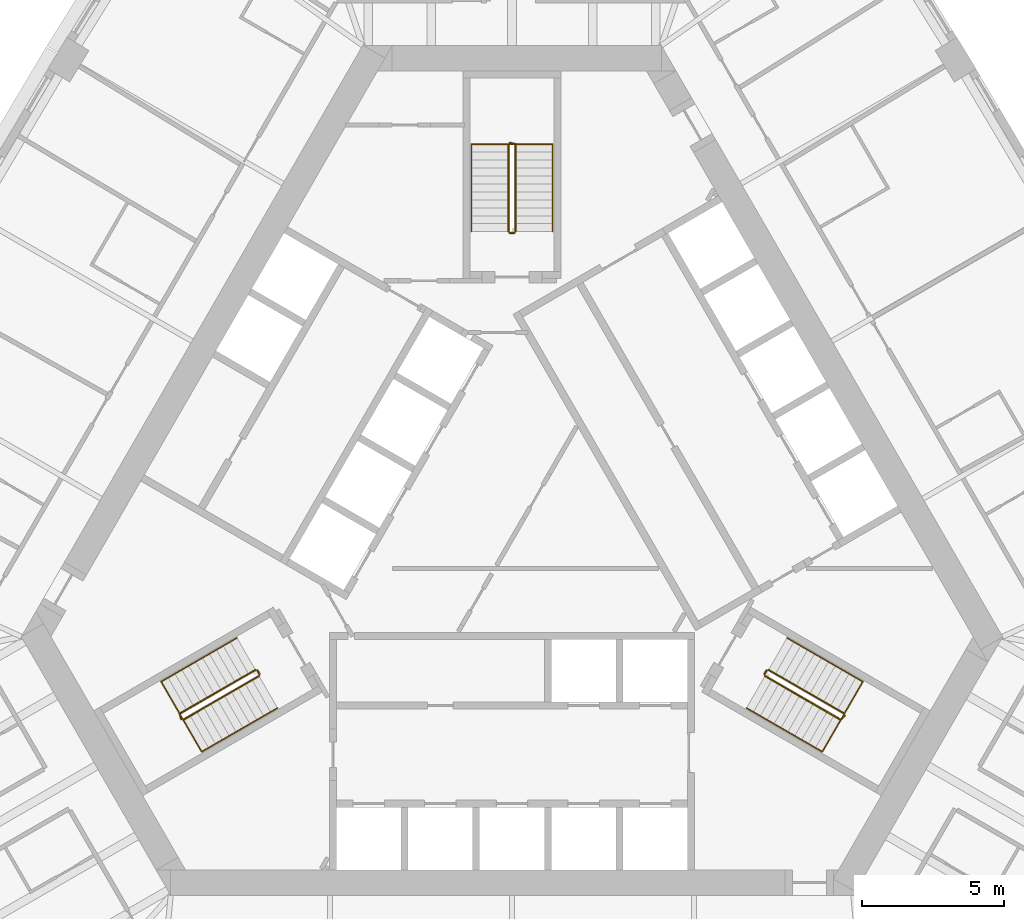
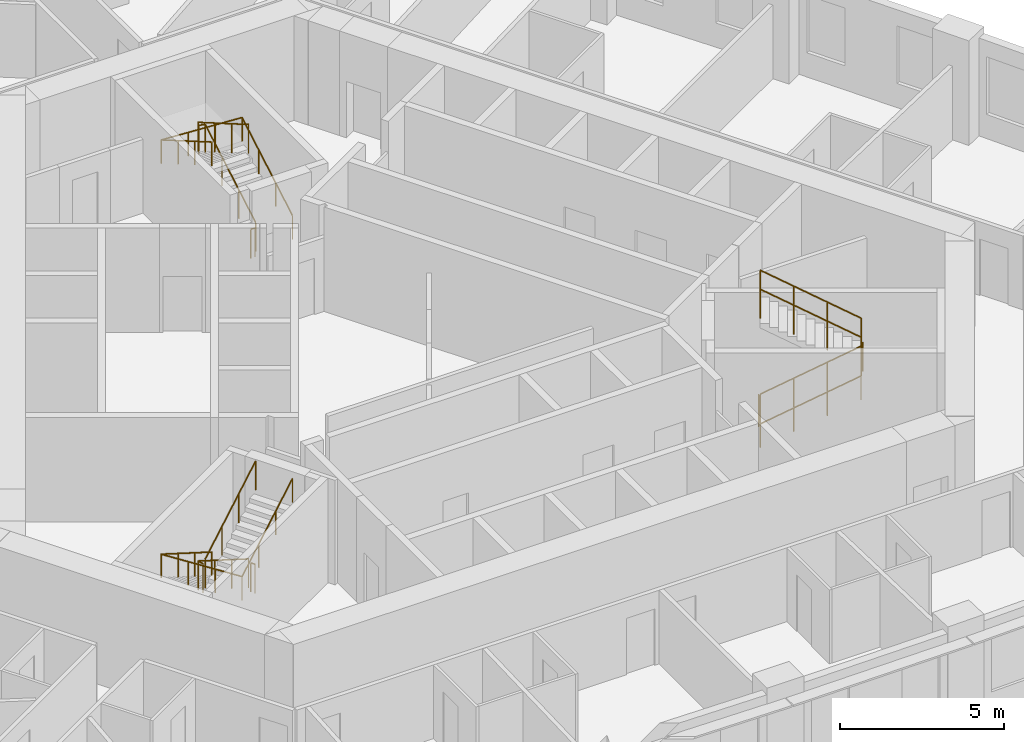
# One storey, part 13 of 13: 12 railings.
"""IFC4 building model written with IfcOpenShell, lengths in metres."""

from ifc_helpers import new_model, si_unit, direction, frame, origin, origin_2d, place, context, subcontext, project, spatial, circle, extrude, material, type_object, element, save


model = new_model("IFC4")

# Units and contexts
model_context = context("Model", 3, precision=1e-05, world=origin(), true_north=direction((0.0, 1.0)))
body_context = subcontext(model_context, "Body", "Model", "MODEL_VIEW")
ifc_project = project(units=[si_unit("LENGTHUNIT", "METRE"), si_unit("AREAUNIT", "SQUARE_METRE"), si_unit("VOLUMEUNIT", "CUBIC_METRE"), si_unit("PLANEANGLEUNIT", "RADIAN"), si_unit("MASSUNIT", "GRAM", prefix="KILO")], contexts=[model_context])

# Site, building, storey
site_placement = place(None, origin())
site = spatial("IfcSite", under=ifc_project, at=site_placement, CompositionType="ELEMENT")
building_placement = place(site_placement, origin())
building = spatial("IfcBuilding", under=site, at=building_placement, Name="Mestral Congress Tower", CompositionType="ELEMENT")
storey_placement = place(building_placement, frame((0.0, 0.0, 95.39990234375)))
storey = spatial("IfcBuildingStorey", under=building, at=storey_placement, Name="L22", CompositionType="ELEMENT", Elevation=95.39990234375)

# Railings
ifc_material_1 = material(Name="Steel balustrade", Category="steel")
railing_type_1 = type_object("IfcRailingType", Name="Stair guard 1100", PredefinedType="GUARDRAIL", material=ifc_material_1)
railing_1_placement = place(storey_placement, frame((8.90087890625, -5.283203125, 0.16259765625)))
element("IfcRailing", 1, at=railing_1_placement, inside=storey, type_object=railing_type_1, Name="L22 ST1 stair guard 1", PredefinedType="GUARDRAIL", context=body_context, shape_type="SweptSolid", body=[
    extrude(circle(Radius=0.02392578125, at=origin_2d()), frame((0.0, 0.0, 1.076171875), z_axis=(0.748993966903, -0.432462603499, 0.501980212875), x_axis=(0.500026652407, 0.866010015463, 0.0)), (0.0, 0.0, 1.0), 3.56103515625),
    extrude(circle(Radius=0.02392578125, at=origin_2d()), frame((2.667236328125, -1.5400390625, 2.86376953125), z_axis=(0.695164929852, 0.718850276695, 0.0), x_axis=(-0.718850276695, 0.695164929852, 0.0)), (0.0, 0.0, 1.0), 0.2060546875),
    extrude(circle(Radius=0.02099609375, at=origin_2d()), origin(), (0.0, 0.0, 1.0), 1.052001953125),
    extrude(circle(Radius=0.02099609375, at=origin_2d()), frame((0.88916015625, -0.513427734375, 0.595947265625)), (0.0, 0.0, 1.0), 1.052001953125),
    extrude(circle(Radius=0.02099609375, at=origin_2d()), frame((1.778076171875, -1.026611328125, 1.191650390625)), (0.0, 0.0, 1.0), 1.052001953125),
    extrude(circle(Radius=0.02099609375, at=origin_2d()), frame((2.667236328125, -1.5400390625, 1.78759765625)), (0.0, 0.0, 1.0), 1.052001953125),
    extrude(circle(Radius=0.02099609375, at=origin_2d()), frame((2.810546875, -1.391845703125, 1.78759765625)), (0.0, 0.0, 1.0), 1.052001953125),
])
railing_2_placement = place(storey_placement, frame((11.693115234375, -6.606689453125, 2.112548828125)))
element("IfcRailing", 2, at=railing_2_placement, inside=storey, type_object=railing_type_1, Name="L22 ST1 stair guard 2", PredefinedType="GUARDRAIL", context=body_context, shape_type="SweptSolid", body=[
    extrude(circle(Radius=0.02392578125, at=origin_2d()), frame((0.0, 0.0, 1.076171875), z_axis=(-0.748993966903, 0.432462603499, 0.501980212875), x_axis=(-0.500026652407, -0.866010015463, 0.0)), (0.0, 0.0, 1.0), 3.56103515625),
    extrude(circle(Radius=0.02099609375, at=origin_2d()), origin(), (0.0, 0.0, 1.0), 1.052001953125),
    extrude(circle(Radius=0.02099609375, at=origin_2d()), frame((-0.88916015625, 0.513427734375, 0.595947265625)), (0.0, 0.0, 1.0), 1.052001953125),
    extrude(circle(Radius=0.02099609375, at=origin_2d()), frame((-1.778076171875, 1.026611328125, 1.191650390625)), (0.0, 0.0, 1.0), 1.052001953125),
    extrude(circle(Radius=0.02099609375, at=origin_2d()), frame((-2.667236328125, 1.5400390625, 1.78759765625)), (0.0, 0.0, 1.0), 1.052001953125),
])
railing_3_placement = place(storey_placement, frame((8.882568359375, -5.21484375, 0.0)))
element("IfcRailing", 3, at=railing_3_placement, inside=storey, type_object=railing_type_1, Name="L22 ST1 stair guard 3", PredefinedType="GUARDRAIL", context=body_context, shape_type="SweptSolid", body=[
    extrude(circle(Radius=0.02392578125, at=origin_2d()), frame((0.0, 0.0, 1.076171875), z_axis=(0.499816412211, 0.866131372301, 0.0), x_axis=(-0.866131372301, 0.499816412211, 0.0)), (0.0, 0.0, 1.0), 0.14990234375),
    extrude(circle(Radius=0.02099609375, at=origin_2d()), origin(), (0.0, 0.0, 1.0), 1.052001953125),
    extrude(circle(Radius=0.02099609375, at=origin_2d()), frame((0.074951171875, 0.1298828125, 0.0)), (0.0, 0.0, 1.0), 1.052001953125),
])
railing_4_placement = place(storey_placement, frame((0.125, 10.35009765625, 0.16259765625)))
element("IfcRailing", 4, at=railing_4_placement, inside=storey, type_object=railing_type_1, Name="L22 ST2 stair guard 1", PredefinedType="GUARDRAIL", context=body_context, shape_type="SweptSolid", body=[
    extrude(circle(Radius=0.02392578125, at=origin_2d()), frame((0.0, 0.0, 1.076171875), z_axis=(0.0, 0.864873446163, 0.501989962173), x_axis=(-1.0, 0.0, 0.0)), (0.0, 0.0, 1.0), 3.56103515625),
    extrude(circle(Radius=0.02392578125, at=origin_2d()), frame((0.0, 3.079833984375, 2.86376953125), z_axis=(-0.970072785993, 0.242814311512, 0.0), x_axis=(-0.242814311512, -0.970072785993, 0.0)), (0.0, 0.0, 1.0), 0.2060546875),
    extrude(circle(Radius=0.02099609375, at=origin_2d()), origin(), (0.0, 0.0, 1.0), 1.052001953125),
    extrude(circle(Radius=0.02099609375, at=origin_2d()), frame((0.0, 1.026611328125, 0.595947265625)), (0.0, 0.0, 1.0), 1.052001953125),
    extrude(circle(Radius=0.02099609375, at=origin_2d()), frame((0.0, 2.05322265625, 1.191650390625)), (0.0, 0.0, 1.0), 1.052001953125),
    extrude(circle(Radius=0.02099609375, at=origin_2d()), frame((0.0, 3.079833984375, 1.78759765625)), (0.0, 0.0, 1.0), 1.052001953125),
    extrude(circle(Radius=0.02099609375, at=origin_2d()), frame((-0.199951171875, 3.1298828125, 1.78759765625)), (0.0, 0.0, 1.0), 1.052001953125),
])
railing_5_placement = place(storey_placement, frame((-0.125, 13.429931640625, 2.112548828125)))
element("IfcRailing", 5, at=railing_5_placement, inside=storey, type_object=railing_type_1, Name="L22 ST2 stair guard 2", PredefinedType="GUARDRAIL", context=body_context, shape_type="SweptSolid", body=[
    extrude(circle(Radius=0.02392578125, at=origin_2d()), frame((0.0, 0.0, 1.076171875), z_axis=(0.0, -0.864873446163, 0.501989962173), x_axis=(1.0, 0.0, 0.0)), (0.0, 0.0, 1.0), 3.56103515625),
    extrude(circle(Radius=0.02099609375, at=origin_2d()), origin(), (0.0, 0.0, 1.0), 1.052001953125),
    extrude(circle(Radius=0.02099609375, at=origin_2d()), frame((0.0, -1.026611328125, 0.595947265625)), (0.0, 0.0, 1.0), 1.052001953125),
    extrude(circle(Radius=0.02099609375, at=origin_2d()), frame((0.0, -2.05322265625, 1.191650390625)), (0.0, 0.0, 1.0), 1.052001953125),
    extrude(circle(Radius=0.02099609375, at=origin_2d()), frame((0.0, -3.079833984375, 1.78759765625)), (0.0, 0.0, 1.0), 1.052001953125),
])
railing_6_placement = place(storey_placement, frame((0.074951171875, 10.300048828125, 0.0)))
element("IfcRailing", 6, at=railing_6_placement, inside=storey, type_object=railing_type_1, Name="L22 ST2 stair guard 3", PredefinedType="GUARDRAIL", context=body_context, shape_type="SweptSolid", body=[
    extrude(circle(Radius=0.02392578125, at=origin_2d()), frame((0.0, 0.0, 1.076171875), z_axis=(-1.0, 0.0, 0.0), x_axis=(0.0, -1.0, 0.0)), (0.0, 0.0, 1.0), 0.14990234375),
    extrude(circle(Radius=0.02099609375, at=origin_2d()), origin(), (0.0, 0.0, 1.0), 1.052001953125),
    extrude(circle(Radius=0.02099609375, at=origin_2d()), frame((-0.14990234375, 0.0, 0.0)), (0.0, 0.0, 1.0), 1.052001953125),
])
railing_7_placement = place(storey_placement, frame((-9.02587890625, -5.066650390625, 0.16259765625)))
element("IfcRailing", 7, at=railing_7_placement, inside=storey, type_object=railing_type_1, Name="L22 ST3 stair guard 1", PredefinedType="GUARDRAIL", context=body_context, shape_type="SweptSolid", body=[
    extrude(circle(Radius=0.02392578125, at=origin_2d()), frame((0.0, 0.0, 1.076171875), z_axis=(-0.748993966903, -0.432462603499, 0.501980212875), x_axis=(0.500026652407, -0.866010015463, 0.0)), (0.0, 0.0, 1.0), 3.56103515625),
    extrude(circle(Radius=0.02392578125, at=origin_2d()), frame((-2.667236328125, -1.5400390625, 2.86376953125), z_axis=(0.274721127897, -0.961523947641, 0.0), x_axis=(0.961523947641, 0.274721127897, 0.0)), (0.0, 0.0, 1.0), 0.2060546875),
    extrude(circle(Radius=0.02099609375, at=origin_2d()), origin(), (0.0, 0.0, 1.0), 1.052001953125),
    extrude(circle(Radius=0.02099609375, at=origin_2d()), frame((-0.88916015625, -0.513427734375, 0.595947265625)), (0.0, 0.0, 1.0), 1.052001953125),
    extrude(circle(Radius=0.02099609375, at=origin_2d()), frame((-1.778076171875, -1.026611328125, 1.191650390625)), (0.0, 0.0, 1.0), 1.052001953125),
    extrude(circle(Radius=0.02099609375, at=origin_2d()), frame((-2.667236328125, -1.5400390625, 1.78759765625)), (0.0, 0.0, 1.0), 1.052001953125),
    extrude(circle(Radius=0.02099609375, at=origin_2d()), frame((-2.610595703125, -1.73828125, 1.78759765625)), (0.0, 0.0, 1.0), 1.052001953125),
])
railing_8_placement = place(storey_placement, frame((-11.568115234375, -6.8232421875, 2.112548828125)))
element("IfcRailing", 8, at=railing_8_placement, inside=storey, type_object=railing_type_1, Name="L22 ST3 stair guard 2", PredefinedType="GUARDRAIL", context=body_context, shape_type="SweptSolid", body=[
    extrude(circle(Radius=0.02392578125, at=origin_2d()), frame((0.0, 0.0, 1.076171875), z_axis=(0.748993966903, 0.432462603499, 0.501980212875), x_axis=(-0.500026652407, 0.866010015463, 0.0)), (0.0, 0.0, 1.0), 3.56103515625),
    extrude(circle(Radius=0.02099609375, at=origin_2d()), origin(), (0.0, 0.0, 1.0), 1.052001953125),
    extrude(circle(Radius=0.02099609375, at=origin_2d()), frame((0.88916015625, 0.513427734375, 0.595947265625)), (0.0, 0.0, 1.0), 1.052001953125),
    extrude(circle(Radius=0.02099609375, at=origin_2d()), frame((1.778076171875, 1.026611328125, 1.191650390625)), (0.0, 0.0, 1.0), 1.052001953125),
    extrude(circle(Radius=0.02099609375, at=origin_2d()), frame((2.667236328125, 1.5400390625, 1.78759765625)), (0.0, 0.0, 1.0), 1.052001953125),
])
railing_9_placement = place(storey_placement, frame((-8.95751953125, -5.0849609375, 0.0)))
element("IfcRailing", 9, at=railing_9_placement, inside=storey, type_object=railing_type_1, Name="L22 ST3 stair guard 3", PredefinedType="GUARDRAIL", context=body_context, shape_type="SweptSolid", body=[
    extrude(circle(Radius=0.02392578125, at=origin_2d()), frame((0.0, 0.0, 1.076171875), z_axis=(0.499816412211, -0.866131372301, 0.0), x_axis=(0.866131372301, 0.499816412211, 0.0)), (0.0, 0.0, 1.0), 0.14990234375),
    extrude(circle(Radius=0.02099609375, at=origin_2d()), origin(), (0.0, 0.0, 1.0), 1.052001953125),
    extrude(circle(Radius=0.02099609375, at=origin_2d()), frame((0.074951171875, -0.1298828125, 0.0)), (0.0, 0.0, 1.0), 1.052001953125),
])
ifc_material_2 = material(Name="Steel handrail", Category="steel")
railing_type_2 = type_object("IfcRailingType", Name="Stair handrail 900", PredefinedType="HANDRAIL", material=ifc_material_2)
railing_10_placement = place(storey_placement, frame((8.2509765625, -6.4091796875, 0.16259765625)))
element("IfcRailing", 10, at=railing_10_placement, inside=storey, type_object=railing_type_2, Name="L22 ST1 stair handrail 1", PredefinedType="HANDRAIL", context=body_context, shape_type="SweptSolid", body=[
    extrude(circle(Radius=0.02392578125, at=origin_2d()), frame((0.0, 0.0, 0.8759765625), z_axis=(0.749016172816, -0.432406865167, 0.50199509541), x_axis=(0.499967199496, 0.866044340336, 0.0)), (0.0, 0.0, 1.0), 3.56103515625),
    extrude(circle(Radius=0.02392578125, at=origin_2d()), frame((2.667236328125, -1.539794921875, 2.66357421875), z_axis=(0.499226936105, 0.864602552182, 0.056876120012), x_axis=(-0.866004402611, 0.500036373335, 0.0)), (0.0, 0.0, 1.0), 2.8544921875),
    extrude(circle(Radius=0.02392578125, at=origin_2d()), frame((4.09228515625, 0.92822265625, 2.82568359375), z_axis=(-0.74902406201, 0.432440397507, 0.501954437309), x_axis=(-0.499992328818, -0.866029832698, 0.0)), (0.0, 0.0, 1.0), 3.561279296875),
    extrude(circle(Radius=0.02099609375, at=origin_2d()), origin(), (0.0, 0.0, 1.0), 0.851806640625),
    extrude(circle(Radius=0.02099609375, at=origin_2d()), frame((0.88916015625, -0.51318359375, 0.595947265625)), (0.0, 0.0, 1.0), 0.851806640625),
    extrude(circle(Radius=0.02099609375, at=origin_2d()), frame((1.778076171875, -1.026611328125, 1.191650390625)), (0.0, 0.0, 1.0), 0.851806640625),
    extrude(circle(Radius=0.02099609375, at=origin_2d()), frame((2.667236328125, -1.539794921875, 1.78759765625)), (0.0, 0.0, 1.0), 0.851806640625),
    extrude(circle(Radius=0.02099609375, at=origin_2d()), frame((3.142333984375, -0.717041015625, 1.841796875)), (0.0, 0.0, 1.0), 0.851806640625),
    extrude(circle(Radius=0.02099609375, at=origin_2d()), frame((3.6171875, 0.10546875, 1.895751953125)), (0.0, 0.0, 1.0), 0.851806640625),
    extrude(circle(Radius=0.02099609375, at=origin_2d()), frame((4.09228515625, 0.92822265625, 1.949951171875)), (0.0, 0.0, 1.0), 0.851806640625),
    extrude(circle(Radius=0.02099609375, at=origin_2d()), frame((3.203125, 1.441650390625, 2.5458984375)), (0.0, 0.0, 1.0), 0.851806640625),
    extrude(circle(Radius=0.02099609375, at=origin_2d()), frame((2.31396484375, 1.954833984375, 3.1416015625)), (0.0, 0.0, 1.0), 0.851806640625),
    extrude(circle(Radius=0.02099609375, at=origin_2d()), frame((1.4248046875, 2.46826171875, 3.737548828125)), (0.0, 0.0, 1.0), 0.851806640625),
])
railing_11_placement = place(storey_placement, frame((1.425048828125, 10.35009765625, 0.16259765625)))
element("IfcRailing", 11, at=railing_11_placement, inside=storey, type_object=railing_type_2, Name="L22 ST2 stair handrail 1", PredefinedType="HANDRAIL", context=body_context, shape_type="SweptSolid", body=[
    extrude(circle(Radius=0.02392578125, at=origin_2d()), frame((0.0, 0.0, 0.8759765625), z_axis=(0.0, 0.864873446163, 0.501989962173), x_axis=(-1.0, 0.0, 0.0)), (0.0, 0.0, 1.0), 3.56103515625),
    extrude(circle(Radius=0.02392578125, at=origin_2d()), frame((0.0, 3.079833984375, 2.66357421875), z_axis=(-0.998381478221, 0.0, 0.056871996147), x_axis=(0.0, -1.0, 0.0)), (0.0, 0.0, 1.0), 2.854736328125),
    extrude(circle(Radius=0.02392578125, at=origin_2d()), frame((-2.85009765625, 3.079833984375, 2.82568359375), z_axis=(0.0, -0.864873446163, 0.501989962173), x_axis=(1.0, 0.0, 0.0)), (0.0, 0.0, 1.0), 3.56103515625),
    extrude(circle(Radius=0.02099609375, at=origin_2d()), origin(), (0.0, 0.0, 1.0), 0.851806640625),
    extrude(circle(Radius=0.02099609375, at=origin_2d()), frame((0.0, 1.026611328125, 0.595947265625)), (0.0, 0.0, 1.0), 0.851806640625),
    extrude(circle(Radius=0.02099609375, at=origin_2d()), frame((0.0, 2.05322265625, 1.191650390625)), (0.0, 0.0, 1.0), 0.851806640625),
    extrude(circle(Radius=0.02099609375, at=origin_2d()), frame((0.0, 3.079833984375, 1.78759765625)), (0.0, 0.0, 1.0), 0.851806640625),
    extrude(circle(Radius=0.02099609375, at=origin_2d()), frame((-0.949951171875, 3.079833984375, 1.841796875)), (0.0, 0.0, 1.0), 0.851806640625),
    extrude(circle(Radius=0.02099609375, at=origin_2d()), frame((-1.900146484375, 3.079833984375, 1.895751953125)), (0.0, 0.0, 1.0), 0.851806640625),
    extrude(circle(Radius=0.02099609375, at=origin_2d()), frame((-2.85009765625, 3.079833984375, 1.949951171875)), (0.0, 0.0, 1.0), 0.851806640625),
    extrude(circle(Radius=0.02099609375, at=origin_2d()), frame((-2.85009765625, 2.05322265625, 2.5458984375)), (0.0, 0.0, 1.0), 0.851806640625),
    extrude(circle(Radius=0.02099609375, at=origin_2d()), frame((-2.85009765625, 1.026611328125, 3.1416015625)), (0.0, 0.0, 1.0), 0.851806640625),
    extrude(circle(Radius=0.02099609375, at=origin_2d()), frame((-2.85009765625, 0.0, 3.737548828125)), (0.0, 0.0, 1.0), 0.851806640625),
])
railing_12_placement = place(storey_placement, frame((-9.67578125, -3.94091796875, 0.16259765625)))
element("IfcRailing", 12, at=railing_12_placement, inside=storey, type_object=railing_type_2, Name="L22 ST3 stair handrail 1", PredefinedType="HANDRAIL", context=body_context, shape_type="SweptSolid", body=[
    extrude(circle(Radius=0.02392578125, at=origin_2d()), frame((0.0, 0.0, 0.8759765625), z_axis=(-0.74902406201, -0.432440397507, 0.501954437309), x_axis=(0.499992328818, -0.866029832698, 0.0)), (0.0, 0.0, 1.0), 3.561279296875),
    extrude(circle(Radius=0.02392578125, at=origin_2d()), frame((-2.66748046875, -1.5400390625, 2.66357421875), z_axis=(0.499226936105, -0.864602552182, 0.056876120012), x_axis=(0.866004402611, 0.500036373335, 0.0)), (0.0, 0.0, 1.0), 2.8544921875),
    extrude(circle(Radius=0.02392578125, at=origin_2d()), frame((-1.242431640625, -4.008056640625, 2.82568359375), z_axis=(0.749016172816, 0.432406865167, 0.50199509541), x_axis=(-0.499967199496, 0.866044340336, 0.0)), (0.0, 0.0, 1.0), 3.56103515625),
    extrude(circle(Radius=0.02099609375, at=origin_2d()), origin(), (0.0, 0.0, 1.0), 0.851806640625),
    extrude(circle(Radius=0.02099609375, at=origin_2d()), frame((-0.88916015625, -0.513427734375, 0.595947265625)), (0.0, 0.0, 1.0), 0.851806640625),
    extrude(circle(Radius=0.02099609375, at=origin_2d()), frame((-1.7783203125, -1.026611328125, 1.191650390625)), (0.0, 0.0, 1.0), 0.851806640625),
    extrude(circle(Radius=0.02099609375, at=origin_2d()), frame((-2.66748046875, -1.5400390625, 1.78759765625)), (0.0, 0.0, 1.0), 0.851806640625),
    extrude(circle(Radius=0.02099609375, at=origin_2d()), frame((-2.1923828125, -2.36279296875, 1.841796875)), (0.0, 0.0, 1.0), 0.851806640625),
    extrude(circle(Radius=0.02099609375, at=origin_2d()), frame((-1.717529296875, -3.185302734375, 1.895751953125)), (0.0, 0.0, 1.0), 0.851806640625),
    extrude(circle(Radius=0.02099609375, at=origin_2d()), frame((-1.242431640625, -4.008056640625, 1.949951171875)), (0.0, 0.0, 1.0), 0.851806640625),
    extrude(circle(Radius=0.02099609375, at=origin_2d()), frame((-0.353271484375, -3.494873046875, 2.5458984375)), (0.0, 0.0, 1.0), 0.851806640625),
    extrude(circle(Radius=0.02099609375, at=origin_2d()), frame((0.53564453125, -2.9814453125, 3.1416015625)), (0.0, 0.0, 1.0), 0.851806640625),
    extrude(circle(Radius=0.02099609375, at=origin_2d()), frame((1.4248046875, -2.46826171875, 3.737548828125)), (0.0, 0.0, 1.0), 0.851806640625),
])

save(model, "model.ifc")
